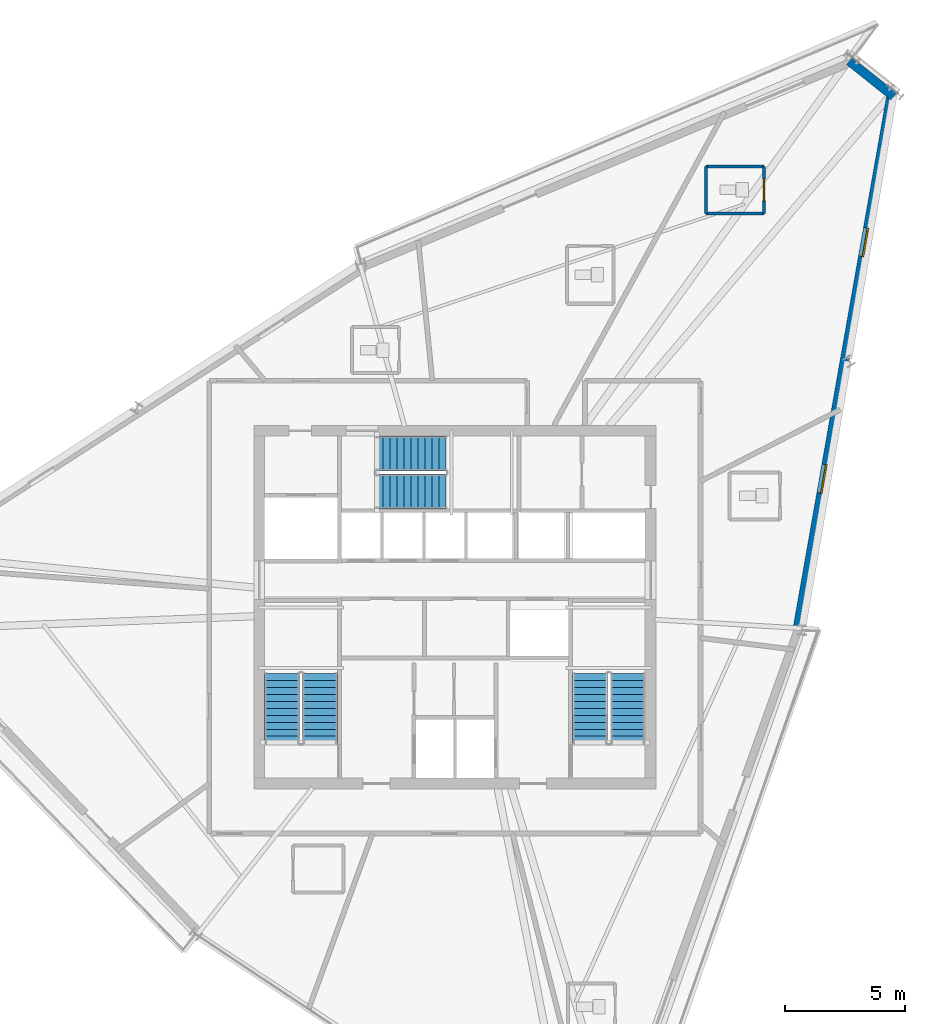
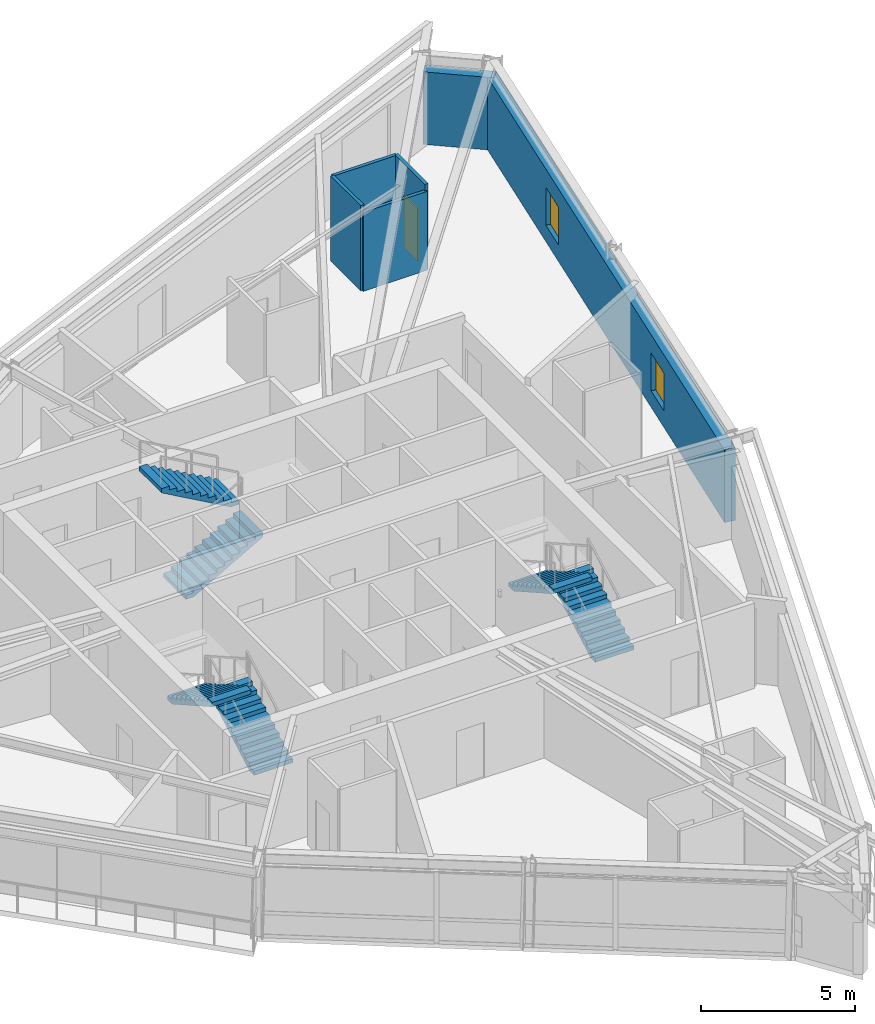
# One storey, part 11 of 15: 6 stair flights, 6 walls, 2 windows, 1 door, 3 openings, 3 elements without a shape of their own.
"""IFC4 building model written with IfcOpenShell, lengths in metres."""

from ifc_helpers import new_model, si_unit, direction, frame, frame_2d, origin, place, context, subcontext, project, spatial, polyline, rectangle, outline, extrude, source, transform, mapped, material, layer, layer_set, type_object, type_shapes, element, fill, aggregate, save


model = new_model("IFC4")

# Units and contexts
model_context = context("Model", 3, precision=1e-05, world=origin(), true_north=direction((0.0, 1.0)))
body_context = subcontext(model_context, "Body", "Model", "MODEL_VIEW")
ifc_project = project(units=[si_unit("LENGTHUNIT", "METRE"), si_unit("AREAUNIT", "SQUARE_METRE"), si_unit("VOLUMEUNIT", "CUBIC_METRE"), si_unit("PLANEANGLEUNIT", "RADIAN"), si_unit("MASSUNIT", "GRAM", prefix="KILO")], contexts=[model_context])

# Site, building, storey
site_placement = place(None, origin())
site = spatial("IfcSite", under=ifc_project, at=site_placement, CompositionType="ELEMENT")
building_placement = place(site_placement, origin())
building = spatial("IfcBuilding", under=site, at=building_placement, Name="Olszyna Solenne Hotel", CompositionType="ELEMENT")
storey_placement = place(building_placement, frame((0.0, 0.0, 245.300048828125)))
storey = spatial("IfcBuildingStorey", under=building, at=storey_placement, Name="L65", CompositionType="ELEMENT", Elevation=245.300048828125)

# Wall
ifc_material_1 = material(Name="Terracotta cladding on precast concrete C45/55", Category="masonry")
ifc_layer_1 = layer(ifc_material_1, 0.3798828125, Name="Terracotta cladding on precast concrete C45/55")
ifc_layer_set_1 = layer_set([ifc_layer_1], Name="Terracotta cladding on precast concrete C45/55")
wall_type_1 = type_object("IfcWallType", Name="WL-EX380", PredefinedType="SOLIDWALL", material=ifc_layer_set_1)
wall_1_placement = place(storey_placement, frame((54.380615234375, 49.2724609375, 0.0), z_axis=(0.0, 0.0, 1.0), x_axis=(0.782096011778, -0.623157948165, 0.0)))
element("IfcWall", 1, at=wall_1_placement, inside=storey, type_object=wall_type_1, Name="Exterior terracotta-precast frame wall WL-EX380 EW-L65-09", PredefinedType="SOLIDWALL", context=body_context, shape_type="SweptSolid", body=[
    extrude(rectangle(XDim=2.345703125, YDim=0.3798828125, at=frame_2d((1.1728515625, 0.0))), origin(), (0.0, 0.0, 1.0), 2.8720703125),
])

# Wall, openings, windows
wall_2_placement = place(storey_placement, frame((56.146484375, 47.9921875, 0.0), z_axis=(0.0, 0.0, 1.0), x_axis=(-0.173221161048, -0.984882952114, 0.0)))
wall_2 = element("IfcWall", 2, at=wall_2_placement, inside=storey, type_object=wall_type_1, Name="Exterior terracotta-precast frame wall WL-EX380 EW-L65-10", PredefinedType="SOLIDWALL", context=body_context, shape_type="SweptSolid", body=[
    extrude(rectangle(XDim=22.663330078125, YDim=0.3798828125, at=frame_2d((11.33154296875, 0.0))), origin(), (0.0, 0.0, 1.0), 2.8720703125),
])
opening_1_placement = place(wall_2_placement, frame((5.74609375, 0.0, 0.64990234375)))
opening_1 = element("IfcOpeningElement", 3, at=opening_1_placement, cuts=wall_2, Name="Opening WN-L65-430", PredefinedType="OPENING", context=body_context, shape_type="SweptSolid", body=[
    extrude(rectangle(XDim=1.199951171875, YDim=1.5, at=frame_2d((0.60009765625, 0.75))), frame((0.0, 0.199951171875, 0.0), z_axis=(0.0, -1.0, 0.0), x_axis=(1.0, 0.0, 0.0)), (0.0, 0.0, 1.0), 0.39990234375),
])
opening_2_placement = place(wall_2_placement, frame((15.718017578125, 0.0, 0.64990234375)))
opening_2 = element("IfcOpeningElement", 4, at=opening_2_placement, cuts=wall_2, Name="Opening WN-L65-431", PredefinedType="OPENING", context=body_context, shape_type="SweptSolid", body=[
    extrude(rectangle(XDim=1.199951171875, YDim=1.5, at=frame_2d((0.60009765625, 0.75))), frame((0.0, 0.199951171875, 0.0), z_axis=(0.0, -1.0, 0.0), x_axis=(1.0, 0.0, 0.0)), (0.0, 0.0, 1.0), 0.39990234375),
])
ifc_material_2 = material(Name="Low-E triple glazing", Category="glass")
window_type = type_object("IfcWindowType", Name="WN-B1", PartitioningType="SINGLE_PANEL", PredefinedType="WINDOW", material=ifc_material_2)
shared_shape_1 = source(origin(), body_context, "Body", "SweptSolid", [
    extrude(rectangle(XDim=1.199951171875, YDim=1.5, at=frame_2d((0.60009765625, 0.75))), frame((0.0, 0.030029296875, 0.0), z_axis=(0.0, -1.0, 0.0), x_axis=(1.0, 0.0, 0.0)), (0.0, 0.0, 1.0), 0.06005859375),
])
type_shapes(window_type, [shared_shape_1])
window_1_placement = place(opening_1_placement, origin())
window_1 = element("IfcWindow", 5, at=window_1_placement, inside=storey, type_object=window_type, Name="Exterior facade window WN-B1 WN-L65-430", OverallHeight=1.5, OverallWidth=1.199951171875, PartitioningType="SINGLE_PANEL", PredefinedType="WINDOW", context=body_context, shape_type="MappedRepresentation", body=[
    mapped(shared_shape_1, transform((0.0, 0.0, 0.0), x_axis=(1.0, 0.0, 0.0), y_axis=(0.0, 1.0, 0.0), z_axis=(0.0, 0.0, 1.0), scale=1.0)),
])
fill(opening_1, window_1)
window_2_placement = place(opening_2_placement, origin())
window_2 = element("IfcWindow", 6, at=window_2_placement, inside=storey, type_object=window_type, Name="Exterior facade window WN-B1 WN-L65-431", OverallHeight=1.5, OverallWidth=1.199951171875, PartitioningType="SINGLE_PANEL", PredefinedType="WINDOW", context=body_context, shape_type="MappedRepresentation", body=[
    mapped(shared_shape_1, transform((0.0, 0.0, 0.0), x_axis=(1.0, 0.0, 0.0), y_axis=(0.0, 1.0, 0.0), z_axis=(0.0, 0.0, 1.0), scale=1.0)),
])
fill(opening_2, window_2)

# Wall, opening, door
ifc_material_3 = material(Name="Acoustic gypsum partition", Category="gypsum")
ifc_layer_2 = layer(ifc_material_3, 0.125, Name="Acoustic gypsum partition")
ifc_layer_set_2 = layer_set([ifc_layer_2], Name="Acoustic gypsum partition")
wall_type_2 = type_object("IfcWallType", Name="WL-PT125", PredefinedType="PARTITIONING", material=ifc_layer_set_2)
wall_3_placement = place(storey_placement, frame((50.830078125, 42.950927734375, 0.0), z_axis=(0.0, 0.0, 1.0), x_axis=(0.0, 1.0, 0.0)))
wall_3 = element("IfcWall", 7, at=wall_3_placement, inside=storey, type_object=wall_type_2, Name="Interior acoustic partition WL-PT125 PW-L65-3600", PredefinedType="PARTITIONING", context=body_context, shape_type="SweptSolid", body=[
    extrude(rectangle(XDim=1.949951171875, YDim=0.125, at=frame_2d((0.97509765625, 0.0))), origin(), (0.0, 0.0, 1.0), 3.3798828125),
])
opening_3_placement = place(wall_3_placement, frame((0.52490234375, 0.0, 0.0)))
opening_3 = element("IfcOpeningElement", 8, at=opening_3_placement, cuts=wall_3, Name="Opening DR-L65-0872", PredefinedType="OPENING", context=body_context, shape_type="SweptSolid", body=[
    extrude(rectangle(XDim=0.89990234375, YDim=2.10009765625, at=frame_2d((0.449951171875, 1.050048828125))), frame((0.0, 0.072509765625, 0.0), z_axis=(0.0, -1.0, 0.0), x_axis=(1.0, 0.0, 0.0)), (0.0, 0.0, 1.0), 0.14501953125),
])
ifc_material_4 = material(Name="Timber hardwood", Category="wood")
door_type = type_object("IfcDoorType", Name="DR-WC1", OperationType="NOTDEFINED", PredefinedType="DOOR", material=ifc_material_4)
shared_shape_2 = source(origin(), body_context, "Body", "SweptSolid", [
    extrude(rectangle(XDim=0.89990234375, YDim=2.10009765625, at=frame_2d((0.449951171875, 1.050048828125))), frame((0.0, 0.02490234375, 0.0), z_axis=(0.0, -1.0, 0.0), x_axis=(1.0, 0.0, 0.0)), (0.0, 0.0, 1.0), 0.050048828125),
])
type_shapes(door_type, [shared_shape_2])
door_placement = place(opening_3_placement, origin())
door = element("IfcDoor", 9, at=door_placement, inside=storey, type_object=door_type, Name="En-Suite Bathroom Door DR-L65-0872", OperationType="SINGLE_SWING_RIGHT", OverallHeight=2.10009765625, OverallWidth=0.89990234375, PredefinedType="DOOR", context=body_context, shape_type="MappedRepresentation", body=[
    mapped(shared_shape_2, transform((0.0, 0.0, 0.0), x_axis=(1.0, 0.0, 0.0), y_axis=(0.0, 1.0, 0.0), z_axis=(0.0, 0.0, 1.0), scale=1.0)),
])
fill(opening_3, door)

# Walls
wall_4_placement = place(storey_placement, frame((50.830078125, 44.90087890625, 0.0), z_axis=(0.0, 0.0, 1.0), x_axis=(-1.0, 0.0, 0.0)))
element("IfcWall", 10, at=wall_4_placement, inside=storey, type_object=wall_type_2, Name="Interior acoustic partition WL-PT125 PW-L65-3601", PredefinedType="PARTITIONING", context=body_context, shape_type="SweptSolid", body=[
    extrude(rectangle(XDim=2.400146484375, YDim=0.125, at=frame_2d((1.2001953125, 0.0))), origin(), (0.0, 0.0, 1.0), 3.3798828125),
])
wall_5_placement = place(storey_placement, frame((48.429931640625, 44.90087890625, 0.0), z_axis=(0.0, 0.0, 1.0), x_axis=(0.0, -1.0, 0.0)))
element("IfcWall", 11, at=wall_5_placement, inside=storey, type_object=wall_type_2, Name="Interior acoustic partition WL-PT125 PW-L65-3602", PredefinedType="PARTITIONING", context=body_context, shape_type="SweptSolid", body=[
    extrude(rectangle(XDim=1.949951171875, YDim=0.125, at=frame_2d((0.97509765625, 0.0))), origin(), (0.0, 0.0, 1.0), 3.3798828125),
])
wall_6_placement = place(storey_placement, frame((48.429931640625, 42.950927734375, 0.0), z_axis=(0.0, 0.0, 1.0), x_axis=(1.0, 0.0, 0.0)))
element("IfcWall", 12, at=wall_6_placement, inside=storey, type_object=wall_type_2, Name="Interior acoustic partition WL-PT125 PW-L65-3603", PredefinedType="PARTITIONING", context=body_context, shape_type="SweptSolid", body=[
    extrude(rectangle(XDim=2.400146484375, YDim=0.125, at=frame_2d((1.2001953125, 0.0))), origin(), (0.0, 0.0, 1.0), 3.125),
])

# Stair, stair flights
ifc_material_5 = material(Name="Concrete C40/50", Category="concrete")
stair_type = type_object("IfcStairType", Name="STR-C1", PredefinedType="TWO_QUARTER_WINDING_STAIR", material=ifc_material_5)
stair_1_placement = place(storey_placement, origin())
stair_1 = element("IfcStair", 13, at=stair_1_placement, inside=storey, type_object=stair_type, Name="L65 ST1", PredefinedType="TWO_QUARTER_WINDING_STAIR")
stair_flight_type = type_object("IfcStairFlightType", Name="FLT-C1", PredefinedType="STRAIGHT", material=ifc_material_5)
stair_flight_1_placement = place(storey_placement, frame((32.39501953125, 20.949951171875, 0.0), z_axis=(0.0, 0.0, 1.0), x_axis=(0.0, 1.0, 0.0)))
stair_flight_1 = element("IfcStairFlight", 14, at=stair_flight_1_placement, type_object=stair_flight_type, Name="ST1 flight 1", NumberOfRisers=11, NumberOfTreads=10, PredefinedType="STRAIGHT", RiserHeight=0.163636364, TreadLength=0.29, context=body_context, shape_type="SweptSolid", body=[
    extrude(outline(polyline([(0.0, 0.0), (0.0, 0.16357421875), (0.2900390625, 0.16357421875), (0.2900390625, 0.327392578125), (0.580078125, 0.327392578125), (0.580078125, 0.490966796875), (0.8701171875, 0.490966796875), (0.8701171875, 0.654541015625), (1.159912109375, 0.654541015625), (1.159912109375, 0.818115234375), (1.449951171875, 0.818115234375), (1.449951171875, 0.98193359375), (1.739990234375, 0.98193359375), (1.739990234375, 1.1455078125), (2.030029296875, 1.1455078125), (2.030029296875, 1.30908203125), (2.320068359375, 1.30908203125), (2.320068359375, 1.47265625), (2.610107421875, 1.47265625), (2.610107421875, 1.636474609375), (2.89990234375, 1.636474609375), (2.89990234375, 1.800048828125), (2.89990234375, 1.46435546875), (0.304931640625, 0.0), (0.0, 0.0)])), frame((0.0, 0.72509765625, 0.0), z_axis=(0.0, -1.0, 0.0), x_axis=(1.0, 0.0, 0.0)), (0.0, 0.0, 1.0), 1.449951171875),
])
stair_flight_2_placement = place(storey_placement, frame((30.824951171875, 23.85009765625, 1.800048828125), z_axis=(0.0, 0.0, 1.0), x_axis=(0.0, -1.0, 0.0)))
stair_flight_2 = element("IfcStairFlight", 15, at=stair_flight_2_placement, type_object=stair_flight_type, Name="ST1 flight 2", NumberOfRisers=11, NumberOfTreads=10, PredefinedType="STRAIGHT", RiserHeight=0.163636364, TreadLength=0.29, context=body_context, shape_type="SweptSolid", body=[
    extrude(outline(polyline([(0.0, 0.0), (0.0, 0.16357421875), (0.2900390625, 0.16357421875), (0.2900390625, 0.327392578125), (0.580078125, 0.327392578125), (0.580078125, 0.490966796875), (0.8701171875, 0.490966796875), (0.8701171875, 0.654541015625), (1.159912109375, 0.654541015625), (1.159912109375, 0.818115234375), (1.449951171875, 0.818115234375), (1.449951171875, 0.98193359375), (1.739990234375, 0.98193359375), (1.739990234375, 1.1455078125), (2.030029296875, 1.1455078125), (2.030029296875, 1.30908203125), (2.320068359375, 1.30908203125), (2.320068359375, 1.47265625), (2.610107421875, 1.47265625), (2.610107421875, 1.636474609375), (2.89990234375, 1.636474609375), (2.89990234375, 1.800048828125), (2.89990234375, 1.46435546875), (0.304931640625, 0.0), (0.0, 0.0)])), frame((0.0, 0.72509765625, 0.0), z_axis=(0.0, -1.0, 0.0), x_axis=(1.0, 0.0, 0.0)), (0.0, 0.0, 1.0), 1.449951171875),
])
aggregate(stair_1, [stair_flight_1, stair_flight_2])

stair_2_placement = place(storey_placement, origin())
stair_2 = element("IfcStair", 16, at=stair_2_placement, inside=storey, type_object=stair_type, Name="L65 ST2", PredefinedType="TWO_QUARTER_WINDING_STAIR")
stair_flight_3_placement = place(storey_placement, frame((45.175048828125, 20.949951171875, 0.0), z_axis=(0.0, 0.0, 1.0), x_axis=(0.0, 1.0, 0.0)))
stair_flight_3 = element("IfcStairFlight", 17, at=stair_flight_3_placement, type_object=stair_flight_type, Name="ST2 flight 1", NumberOfRisers=11, NumberOfTreads=10, PredefinedType="STRAIGHT", RiserHeight=0.163636364, TreadLength=0.29, context=body_context, shape_type="SweptSolid", body=[
    extrude(outline(polyline([(0.0, 0.0), (0.0, 0.16357421875), (0.2900390625, 0.16357421875), (0.2900390625, 0.327392578125), (0.580078125, 0.327392578125), (0.580078125, 0.490966796875), (0.8701171875, 0.490966796875), (0.8701171875, 0.654541015625), (1.159912109375, 0.654541015625), (1.159912109375, 0.818115234375), (1.449951171875, 0.818115234375), (1.449951171875, 0.98193359375), (1.739990234375, 0.98193359375), (1.739990234375, 1.1455078125), (2.030029296875, 1.1455078125), (2.030029296875, 1.30908203125), (2.320068359375, 1.30908203125), (2.320068359375, 1.47265625), (2.610107421875, 1.47265625), (2.610107421875, 1.636474609375), (2.89990234375, 1.636474609375), (2.89990234375, 1.800048828125), (2.89990234375, 1.46435546875), (0.304931640625, 0.0), (0.0, 0.0)])), frame((0.0, 0.72509765625, 0.0), z_axis=(0.0, -1.0, 0.0), x_axis=(1.0, 0.0, 0.0)), (0.0, 0.0, 1.0), 1.449951171875),
])
stair_flight_4_placement = place(storey_placement, frame((43.60498046875, 23.85009765625, 1.800048828125), z_axis=(0.0, 0.0, 1.0), x_axis=(0.0, -1.0, 0.0)))
stair_flight_4 = element("IfcStairFlight", 18, at=stair_flight_4_placement, type_object=stair_flight_type, Name="ST2 flight 2", NumberOfRisers=11, NumberOfTreads=10, PredefinedType="STRAIGHT", RiserHeight=0.163636364, TreadLength=0.29, context=body_context, shape_type="SweptSolid", body=[
    extrude(outline(polyline([(0.0, 0.0), (0.0, 0.16357421875), (0.2900390625, 0.16357421875), (0.2900390625, 0.327392578125), (0.580078125, 0.327392578125), (0.580078125, 0.490966796875), (0.8701171875, 0.490966796875), (0.8701171875, 0.654541015625), (1.159912109375, 0.654541015625), (1.159912109375, 0.818115234375), (1.449951171875, 0.818115234375), (1.449951171875, 0.98193359375), (1.739990234375, 0.98193359375), (1.739990234375, 1.1455078125), (2.030029296875, 1.1455078125), (2.030029296875, 1.30908203125), (2.320068359375, 1.30908203125), (2.320068359375, 1.47265625), (2.610107421875, 1.47265625), (2.610107421875, 1.636474609375), (2.89990234375, 1.636474609375), (2.89990234375, 1.800048828125), (2.89990234375, 1.46435546875), (0.304931640625, 0.0), (0.0, 0.0)])), frame((0.0, 0.72509765625, 0.0), z_axis=(0.0, -1.0, 0.0), x_axis=(1.0, 0.0, 0.0)), (0.0, 0.0, 1.0), 1.449951171875),
])
aggregate(stair_2, [stair_flight_3, stair_flight_4])

stair_3_placement = place(storey_placement, origin())
stair_3 = element("IfcStair", 19, at=stair_3_placement, inside=storey, type_object=stair_type, Name="L65 ST3", PredefinedType="TWO_QUARTER_WINDING_STAIR")
stair_flight_5_placement = place(storey_placement, frame((34.72998046875, 31.405029296875, 0.0), z_axis=(0.0, 0.0, 1.0), x_axis=(1.0, 0.0, 0.0)))
stair_flight_5 = element("IfcStairFlight", 20, at=stair_flight_5_placement, type_object=stair_flight_type, Name="ST3 flight 1", NumberOfRisers=11, NumberOfTreads=10, PredefinedType="STRAIGHT", RiserHeight=0.163636364, TreadLength=0.29, context=body_context, shape_type="SweptSolid", body=[
    extrude(outline(polyline([(0.0, 0.0), (0.0, 0.16357421875), (0.2900390625, 0.16357421875), (0.2900390625, 0.327392578125), (0.580078125, 0.327392578125), (0.580078125, 0.490966796875), (0.8701171875, 0.490966796875), (0.8701171875, 0.654541015625), (1.159912109375, 0.654541015625), (1.159912109375, 0.818115234375), (1.449951171875, 0.818115234375), (1.449951171875, 0.98193359375), (1.739990234375, 0.98193359375), (1.739990234375, 1.1455078125), (2.030029296875, 1.1455078125), (2.030029296875, 1.30908203125), (2.320068359375, 1.30908203125), (2.320068359375, 1.47265625), (2.610107421875, 1.47265625), (2.610107421875, 1.636474609375), (2.89990234375, 1.636474609375), (2.89990234375, 1.800048828125), (2.89990234375, 1.46435546875), (0.304931640625, 0.0), (0.0, 0.0)])), frame((0.0, 0.72509765625, 0.0), z_axis=(0.0, -1.0, 0.0), x_axis=(1.0, 0.0, 0.0)), (0.0, 0.0, 1.0), 1.449951171875),
])
stair_flight_6_placement = place(storey_placement, frame((37.6298828125, 32.97509765625, 1.800048828125), z_axis=(0.0, 0.0, 1.0), x_axis=(-1.0, 0.0, 0.0)))
stair_flight_6 = element("IfcStairFlight", 21, at=stair_flight_6_placement, type_object=stair_flight_type, Name="ST3 flight 2", NumberOfRisers=11, NumberOfTreads=10, PredefinedType="STRAIGHT", RiserHeight=0.163636364, TreadLength=0.29, context=body_context, shape_type="SweptSolid", body=[
    extrude(outline(polyline([(0.0, 0.0), (0.0, 0.16357421875), (0.2900390625, 0.16357421875), (0.2900390625, 0.327392578125), (0.580078125, 0.327392578125), (0.580078125, 0.490966796875), (0.8701171875, 0.490966796875), (0.8701171875, 0.654541015625), (1.159912109375, 0.654541015625), (1.159912109375, 0.818115234375), (1.449951171875, 0.818115234375), (1.449951171875, 0.98193359375), (1.739990234375, 0.98193359375), (1.739990234375, 1.1455078125), (2.030029296875, 1.1455078125), (2.030029296875, 1.30908203125), (2.320068359375, 1.30908203125), (2.320068359375, 1.47265625), (2.610107421875, 1.47265625), (2.610107421875, 1.636474609375), (2.89990234375, 1.636474609375), (2.89990234375, 1.800048828125), (2.89990234375, 1.46435546875), (0.304931640625, 0.0), (0.0, 0.0)])), frame((0.0, 0.72509765625, 0.0), z_axis=(0.0, -1.0, 0.0), x_axis=(1.0, 0.0, 0.0)), (0.0, 0.0, 1.0), 1.449951171875),
])
aggregate(stair_3, [stair_flight_5, stair_flight_6])

save(model, "model.ifc")
